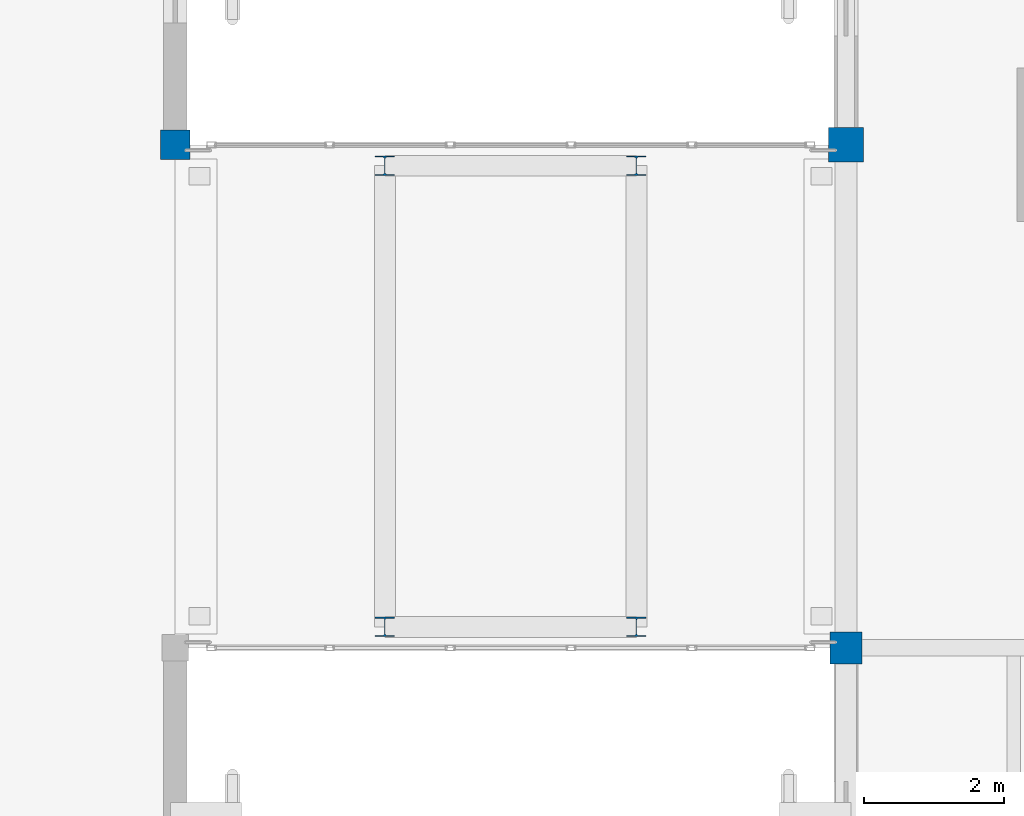
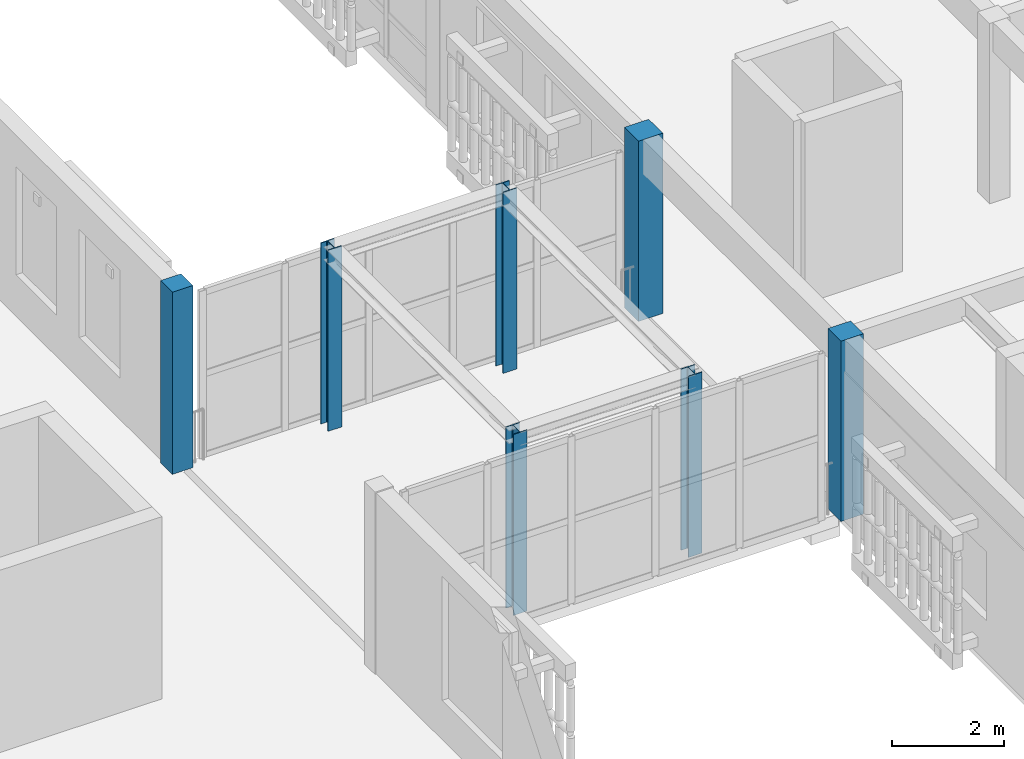
# One storey, part 5 of 217: 7 columns.
"""IFC4 building model written with IfcOpenShell, lengths in metres."""

from ifc_helpers import new_model, si_unit, direction, frame, origin, origin_2d, place, context, subcontext, project, spatial, rectangle, i_section, extrude, material, material_profile, profile_set, type_object, element, save


model = new_model("IFC4")

# Units and contexts
model_context = context("Model", 3, precision=1e-05, world=origin(), true_north=direction((0.0, 1.0)))
body_context = subcontext(model_context, "Body", "Model", "MODEL_VIEW")
ifc_project = project(units=[si_unit("LENGTHUNIT", "METRE"), si_unit("AREAUNIT", "SQUARE_METRE"), si_unit("VOLUMEUNIT", "CUBIC_METRE"), si_unit("PLANEANGLEUNIT", "RADIAN"), si_unit("MASSUNIT", "GRAM", prefix="KILO")], contexts=[model_context])

# Site, building, storey
site_placement = place(None, origin())
site = spatial("IfcSite", under=ifc_project, at=site_placement, CompositionType="ELEMENT")
building_placement = place(site_placement, origin())
building = spatial("IfcBuilding", under=site, at=building_placement, Name="Mazaris Harbour Polytechnic", CompositionType="ELEMENT")
storey_placement = place(building_placement, frame((0.0, 0.0, 9.60009765625)))
storey = spatial("IfcBuildingStorey", under=building, at=storey_placement, Name="L02", CompositionType="ELEMENT", Elevation=9.60009765625)

# Columns
ifc_material_1 = material(Name="Glulam GL28h", Category="wood")
ifc_material_profile_1 = material_profile(ifc_material_1, rectangle(XDim=0.419921875, YDim=0.419921875, at=origin_2d()), Name="RECT420x420")
ifc_profile_set_1 = profile_set([ifc_material_profile_1], Name="Glulam GL28h")
column_type_1 = type_object("IfcColumnType", Name="Glulam Column 420x420 Exterior", PredefinedType="COLUMN", material=ifc_profile_set_1)
column_1_placement = place(storey_placement, frame((112.800048828125, 28.800048828125, 0.0), z_axis=(0.0, 0.0, 1.0), x_axis=(1.0, 0.0, 0.0)))
element("IfcColumn", 1, at=column_1_placement, inside=storey, type_object=column_type_1, Name="V3 L02 Column 538", PredefinedType="COLUMN", context=body_context, shape_type="SweptSolid", body=[
    extrude(rectangle(XDim=0.419921875, YDim=0.419921875, at=origin_2d()), origin(), (0.0, 0.0, 1.0), 3.9599609375),
])
ifc_material_2 = material(Name="Glulam GL28h", Category="wood")
ifc_material_profile_2 = material_profile(ifc_material_2, rectangle(XDim=0.4599609375, YDim=0.4599609375, at=origin_2d()), Name="RECT460x460")
ifc_profile_set_2 = profile_set([ifc_material_profile_2], Name="Glulam GL28h")
column_type_2 = type_object("IfcColumnType", Name="Glulam Column 460x460 Exterior", PredefinedType="COLUMN", material=ifc_profile_set_2)
column_2_placement = place(storey_placement, frame((122.39990234375, 21.60009765625, 0.0), z_axis=(0.0, 0.0, 1.0), x_axis=(1.0, 0.0, 0.0)))
element("IfcColumn", 2, at=column_2_placement, inside=storey, type_object=column_type_2, Name="V2 L02 Column 307", PredefinedType="COLUMN", context=body_context, shape_type="SweptSolid", body=[
    extrude(rectangle(XDim=0.4599609375, YDim=0.4599609375, at=origin_2d()), origin(), (0.0, 0.0, 1.0), 3.919921875),
])
ifc_material_3 = material(Name="Glulam GL28h", Category="wood")
ifc_material_profile_3 = material_profile(ifc_material_3, rectangle(XDim=0.5, YDim=0.5, at=origin_2d()), Name="RECT500x500")
ifc_profile_set_3 = profile_set([ifc_material_profile_3], Name="Glulam GL28h")
column_type_3 = type_object("IfcColumnType", Name="Glulam Column 500x500 Exterior", PredefinedType="COLUMN", material=ifc_profile_set_3)
column_3_placement = place(storey_placement, frame((122.39990234375, 28.800048828125, 0.0), z_axis=(0.0, 0.0, 1.0), x_axis=(1.0, 0.0, 0.0)))
element("IfcColumn", 3, at=column_3_placement, inside=storey, type_object=column_type_3, Name="V2 L02 Column 308", PredefinedType="COLUMN", context=body_context, shape_type="SweptSolid", body=[
    extrude(rectangle(XDim=0.5, YDim=0.5, at=origin_2d()), origin(), (0.0, 0.0, 1.0), 3.919921875),
])
ifc_material_4 = material(Name="Steel S355", Category="steel")
ifc_material_profile_4 = material_profile(ifc_material_4, i_section(OverallWidth=0.280029296875, OverallDepth=0.280029296875, WebThickness=0.010498046875, FlangeThickness=0.01806640625, FilletRadius=0.02392578125, at=origin_2d()), Name="HEB 280")
ifc_profile_set_4 = profile_set([ifc_material_profile_4], Name="Steel S355")
column_type_4 = type_object("IfcColumnType", Name="Steel Column HEB280 Exterior", PredefinedType="COLUMN", material=ifc_profile_set_4)
for number, where, z_axis, x_axis, name in (
    (4, (115.800048828125, 21.89990234375, 0.0), (0.0, 0.0, 1.0), (1.0, 0.0, 0.0), "PB-E1 L02 Bridge Column 1556"),
    (5, (119.39990234375, 21.89990234375, 0.0), (0.0, 0.0, 1.0), (1.0, 0.0, 0.0), "PB-E1 L02 Bridge Column 1557"),
    (6, (115.800048828125, 28.5, 0.0), (0.0, 0.0, 1.0), (1.0, 0.0, 0.0), "PB-E1 L02 Bridge Column 1558"),
    (7, (119.39990234375, 28.5, 0.0), (0.0, 0.0, 1.0), (1.0, 0.0, 0.0), "PB-E1 L02 Bridge Column 1559"),
):
    element("IfcColumn", number, at=place(storey_placement, frame(where, z_axis=z_axis, x_axis=x_axis)), inside=storey, type_object=column_type_4, Name=name, PredefinedType="COLUMN", context=body_context, shape_type="SweptSolid", body=[
        extrude(i_section(OverallWidth=0.280029296875, OverallDepth=0.280029296875, WebThickness=0.010498046875, FlangeThickness=0.01806640625, FilletRadius=0.02392578125, at=origin_2d()), origin(), (0.0, 0.0, 1.0), 3.934814453125),
    ])

save(model, "model.ifc")
